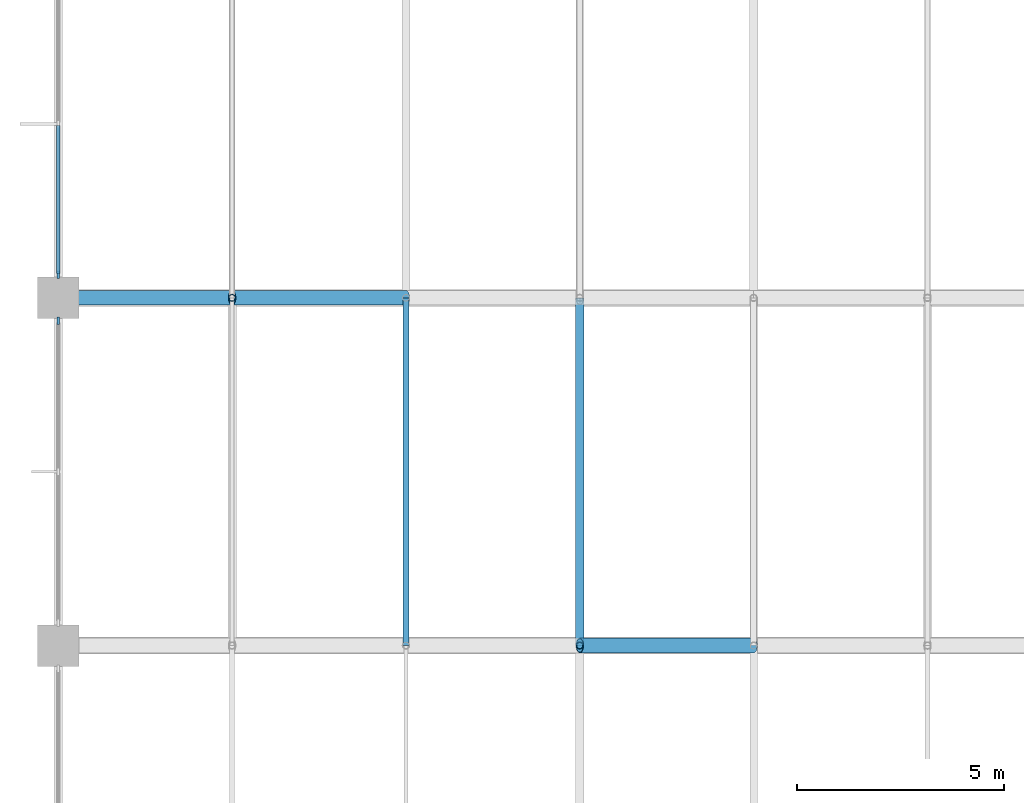
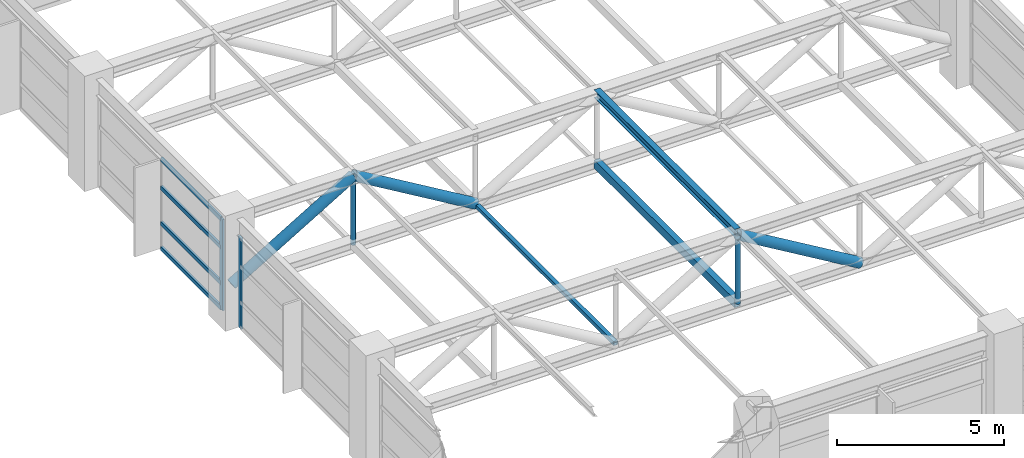
# One storey, part 9 of 32: 14 members, 2 elements without a shape of their own.
"""IFC4 building model written with IfcOpenShell, lengths in metres."""

from ifc_helpers import new_model, si_unit, direction, frame, origin, origin_2d, place, context, subcontext, project, spatial, rectangle, hollow_rectangle, hollow_circle, i_section, extrude, material, material_profile, profile_set, type_object, element, aggregate, save


model = new_model("IFC4")

# Units and contexts
model_context = context("Model", 3, precision=1e-05, world=origin(), true_north=direction((0.0, 1.0)))
body_context = subcontext(model_context, "Body", "Model", "MODEL_VIEW")
ifc_project = project(units=[si_unit("LENGTHUNIT", "METRE"), si_unit("AREAUNIT", "SQUARE_METRE"), si_unit("VOLUMEUNIT", "CUBIC_METRE"), si_unit("PLANEANGLEUNIT", "RADIAN"), si_unit("MASSUNIT", "GRAM", prefix="KILO")], contexts=[model_context])

# Site, building, storey
site_placement = place(None, origin())
site = spatial("IfcSite", under=ifc_project, at=site_placement, CompositionType="ELEMENT")
building_placement = place(site_placement, origin())
building = spatial("IfcBuilding", under=site, at=building_placement, Name="Xuanlan Plaza Opera House", CompositionType="ELEMENT")
storey_placement = place(building_placement, frame((0.0, 0.0, 40.5)))
storey = spatial("IfcBuildingStorey", under=building, at=storey_placement, Name="L09", CompositionType="ELEMENT", Elevation=40.5)

# Curtain wall, member
ifc_material_1 = material(Name="Anodised Aluminium 6063-T6 and Low-E Glass", Category="aluminium")
curtain_wall_type = type_object("IfcCurtainWallType", Name="ENV-CW-CW-05", PredefinedType="USERDEFINED", material=ifc_material_1)
curtain_wall_1_placement = place(storey_placement, origin())
curtain_wall_1 = element("IfcCurtainWall", 1, at=curtain_wall_1_placement, inside=storey, type_object=curtain_wall_type, Name="Acoustic Glazed Wall FLY-L09-12", ObjectType="ACOUSTIC GLAZED WALL", PredefinedType="USERDEFINED")
ifc_material_2 = material(Name="Anodised Aluminium 6063-T6", Category="aluminium")
ifc_material_profile_1 = material_profile(ifc_material_2, rectangle(XDim=0.070068359375, YDim=0.179931640625, at=origin_2d()), Name="ALU-M 70x180")
ifc_profile_set_1 = profile_set([ifc_material_profile_1], Name="Anodised Aluminium 6063-T6")
member_type_1 = type_object("IfcMemberType", Name="ENV-CWM-02", PredefinedType="MULLION", material=ifc_profile_set_1)
member_1_placement = place(storey_placement, frame((42.0, 59.35498046875, 0.0), z_axis=(0.0, 0.0, 1.0), x_axis=(1.0, 0.0, 0.0)))
member_1 = element("IfcMember", 2, at=member_1_placement, type_object=member_type_1, Name="CW-05 mullion 3", PredefinedType="MULLION", context=body_context, shape_type="SweptSolid", body=[
    extrude(rectangle(XDim=0.070068359375, YDim=0.179931640625, at=origin_2d()), origin(), (0.0, 0.0, 1.0), 3.320068359375),
])

curtain_wall_2_placement = place(storey_placement, origin())
curtain_wall_2 = element("IfcCurtainWall", 3, at=curtain_wall_2_placement, inside=storey, type_object=curtain_wall_type, Name="Acoustic Glazed Wall FLY-L09-13", ObjectType="ACOUSTIC GLAZED WALL", PredefinedType="USERDEFINED")
member_2_placement = place(storey_placement, frame((42.0, 58.2451171875, 0.0), z_axis=(0.0, 0.0, 1.0), x_axis=(1.0, 0.0, 0.0)))
member_2 = element("IfcMember", 4, at=member_2_placement, type_object=member_type_1, Name="CW-05 mullion 1", PredefinedType="MULLION", context=body_context, shape_type="SweptSolid", body=[
    extrude(rectangle(XDim=0.070068359375, YDim=0.179931640625, at=origin_2d()), origin(), (0.0, 0.0, 1.0), 3.320068359375),
])
aggregate(curtain_wall_2, [member_2])

# Member
ifc_material_profile_2 = material_profile(ifc_material_2, rectangle(XDim=0.074951171875, YDim=0.14990234375, at=origin_2d()), Name="ALU-T 75x150")
ifc_profile_set_2 = profile_set([ifc_material_profile_2], Name="Anodised Aluminium 6063-T6")
member_type_2 = type_object("IfcMemberType", Name="ENV-CWT-03", PredefinedType="USERDEFINED", material=ifc_profile_set_2)
member_3_placement = place(storey_placement, frame((42.0, 62.965087890625, 0.03759765625), z_axis=(0.0, -1.0, 0.0), x_axis=(1.0, 0.0, 0.0)))
member_3 = element("IfcMember", 5, at=member_3_placement, type_object=member_type_2, Name="CW-05 transom 2.1", ObjectType="TRANSOM", PredefinedType="USERDEFINED", context=body_context, shape_type="SweptSolid", body=[
    extrude(rectangle(XDim=0.074951171875, YDim=0.14990234375, at=origin_2d()), origin(), (0.0, 0.0, 1.0), 3.5751953125),
])

member_4_placement = place(storey_placement, frame((42.0, 62.965087890625, 0.949951171875), z_axis=(0.0, -1.0, 0.0), x_axis=(1.0, 0.0, 0.0)))
member_4 = element("IfcMember", 6, at=member_4_placement, type_object=member_type_2, Name="CW-05 transom 2.2", ObjectType="TRANSOM", PredefinedType="USERDEFINED", context=body_context, shape_type="SweptSolid", body=[
    extrude(rectangle(XDim=0.074951171875, YDim=0.14990234375, at=origin_2d()), origin(), (0.0, 0.0, 1.0), 3.5751953125),
])

member_5_placement = place(storey_placement, frame((42.0, 62.965087890625, 2.25), z_axis=(0.0, -1.0, 0.0), x_axis=(1.0, 0.0, 0.0)))
member_5 = element("IfcMember", 7, at=member_5_placement, type_object=member_type_2, Name="CW-05 transom 2.3", ObjectType="TRANSOM", PredefinedType="USERDEFINED", context=body_context, shape_type="SweptSolid", body=[
    extrude(rectangle(XDim=0.074951171875, YDim=0.14990234375, at=origin_2d()), origin(), (0.0, 0.0, 1.0), 3.5751953125),
])

member_6_placement = place(storey_placement, frame((42.0, 62.965087890625, 3.282470703125), z_axis=(0.0, -1.0, 0.0), x_axis=(1.0, 0.0, 0.0)))
member_6 = element("IfcMember", 8, at=member_6_placement, type_object=member_type_2, Name="CW-05 transom 2.4", ObjectType="TRANSOM", PredefinedType="USERDEFINED", context=body_context, shape_type="SweptSolid", body=[
    extrude(rectangle(XDim=0.074951171875, YDim=0.14990234375, at=origin_2d()), origin(), (0.0, 0.0, 1.0), 3.5751953125),
])

aggregate(curtain_wall_1, [member_1, member_3, member_4, member_5, member_6])

# Members
ifc_material_3 = material(Name="Steel Q355B", Category="steel")
ifc_material_profile_3 = material_profile(ifc_material_3, hollow_circle(Radius=0.177734375, WallThickness=0.01611328125, at=origin_2d()), Name="CHS 355.6x16")
ifc_profile_set_3 = profile_set([ifc_material_profile_3], Name="Steel Q355B")
member_type_3 = type_object("IfcMemberType", Name="STR-MEM-BR-02", PredefinedType="BRACE", material=ifc_profile_set_3)
for number, where, z_axis, x_axis, name in (
    (9, (54.60009765625, 50.39990234375, 3.751953125), (0.859290270856, 0.0, -0.511488250512), (0.0, 1.0, 0.0), "Stage Roof Truss STG-01 Web Diagonal 4"),
    (10, (42.0, 58.800048828125, 1.251953125), (0.859290270856, 0.0, 0.511488250512), (0.0, 1.0, 0.0), "Stage Roof Truss STG-02 Web Diagonal 1"),
    (11, (46.199951171875, 58.800048828125, 3.751953125), (0.859290270856, 0.0, -0.511488250512), (0.0, 1.0, 0.0), "Stage Roof Truss STG-02 Web Diagonal 2"),
):
    element("IfcMember", number, at=place(storey_placement, frame(where, z_axis=z_axis, x_axis=x_axis)), inside=storey, type_object=member_type_3, Name=name, PredefinedType="BRACE", context=body_context, shape_type="SweptSolid", body=[
        extrude(hollow_circle(Radius=0.177734375, WallThickness=0.01611328125, at=origin_2d()), origin(), (0.0, 0.0, 1.0), 4.8876953125),
    ])
ifc_material_profile_4 = material_profile(ifc_material_3, hollow_rectangle(XDim=0.199951171875, YDim=0.300048828125, WallThickness=0.011962890625, at=origin_2d()), Name="RHS 300x200x12")
ifc_profile_set_4 = profile_set([ifc_material_profile_4], Name="Steel Q355B")
member_type_4 = type_object("IfcMemberType", Name="STR-MEM-CL-M1", PredefinedType="COLLAR", material=ifc_profile_set_4)
member_7_placement = place(storey_placement, frame((54.60009765625, 50.39990234375, 1.251953125), z_axis=(0.0, 1.0, 0.0), x_axis=(-1.0, 0.0, 0.0)))
element("IfcMember", 12, at=member_7_placement, inside=storey, type_object=member_type_4, Name="Stage Truss Collar Tie 1-4", PredefinedType="COLLAR", context=body_context, shape_type="SweptSolid", body=[
    extrude(hollow_rectangle(XDim=0.199951171875, YDim=0.300048828125, WallThickness=0.011962890625, at=origin_2d()), origin(), (0.0, 0.0, 1.0), 8.400146484375),
])
ifc_material_profile_5 = material_profile(ifc_material_3, hollow_rectangle(XDim=0.139892578125, YDim=0.139892578125, WallThickness=0.008056640625, at=origin_2d()), Name="SHS 140x140x8")
ifc_profile_set_5 = profile_set([ifc_material_profile_5], Name="Steel Q355B")
member_type_5 = type_object("IfcMemberType", Name="STR-MEM-CL-M3", PredefinedType="COLLAR", material=ifc_profile_set_5)
member_8_placement = place(storey_placement, frame((50.39990234375, 50.39990234375, 1.251953125), z_axis=(0.0, 1.0, 0.0), x_axis=(-1.0, 0.0, 0.0)))
element("IfcMember", 13, at=member_8_placement, inside=storey, type_object=member_type_5, Name="Stage Truss Collar Tie 1-3", PredefinedType="COLLAR", context=body_context, shape_type="SweptSolid", body=[
    extrude(hollow_rectangle(XDim=0.139892578125, YDim=0.139892578125, WallThickness=0.008056640625, at=origin_2d()), origin(), (0.0, 0.0, 1.0), 8.400146484375),
])
ifc_material_profile_6 = material_profile(ifc_material_3, i_section(OverallWidth=0.199951171875, OverallDepth=0.2939453125, WebThickness=0.008056640625, FlangeThickness=0.011962890625, FilletRadius=0.01611328125, at=origin_2d()), Name="HM 294x200x8x12")
ifc_profile_set_6 = profile_set([ifc_material_profile_6], Name="Steel Q355B")
member_type_6 = type_object("IfcMemberType", Name="STR-MEM-PR-05", PredefinedType="PURLIN", material=ifc_profile_set_6)
member_9_placement = place(storey_placement, frame((54.60009765625, 50.39990234375, 3.81201171875), z_axis=(0.0, 1.0, 0.0), x_axis=(-1.0, 0.0, 0.0)))
element("IfcMember", 14, at=member_9_placement, inside=storey, type_object=member_type_6, Name="Stage Gridiron Roof Purlin 2-4", PredefinedType="PURLIN", context=body_context, shape_type="SweptSolid", body=[
    extrude(i_section(OverallWidth=0.199951171875, OverallDepth=0.2939453125, WebThickness=0.008056640625, FlangeThickness=0.011962890625, FilletRadius=0.01611328125, at=origin_2d()), origin(), (0.0, 0.0, 1.0), 8.400146484375),
])
ifc_material_profile_7 = material_profile(ifc_material_3, hollow_circle(Radius=0.084228515625, WallThickness=0.008056640625, at=origin_2d()), Name="CHS 168.3x8")
ifc_profile_set_7 = profile_set([ifc_material_profile_7], Name="Steel Q355B")
member_type_7 = type_object("IfcMemberType", Name="STR-MEM-ST-M1", PredefinedType="STRUT", material=ifc_profile_set_7)
for number, where, z_axis, x_axis, name in (
    (15, (54.60009765625, 50.39990234375, 1.251953125), (0.0, 0.0, 1.0), (1.0, 0.0, 0.0), "Stage Roof Truss STG-01 Vertical Strut 3"),
    (16, (46.199951171875, 58.800048828125, 1.251953125), (0.0, 0.0, 1.0), (1.0, 0.0, 0.0), "Stage Roof Truss STG-02 Vertical Strut 1"),
):
    element("IfcMember", number, at=place(storey_placement, frame(where, z_axis=z_axis, x_axis=x_axis)), inside=storey, type_object=member_type_7, Name=name, PredefinedType="STRUT", context=body_context, shape_type="SweptSolid", body=[
        extrude(hollow_circle(Radius=0.084228515625, WallThickness=0.008056640625, at=origin_2d()), origin(), (0.0, 0.0, 1.0), 2.5),
    ])

save(model, "model.ifc")
